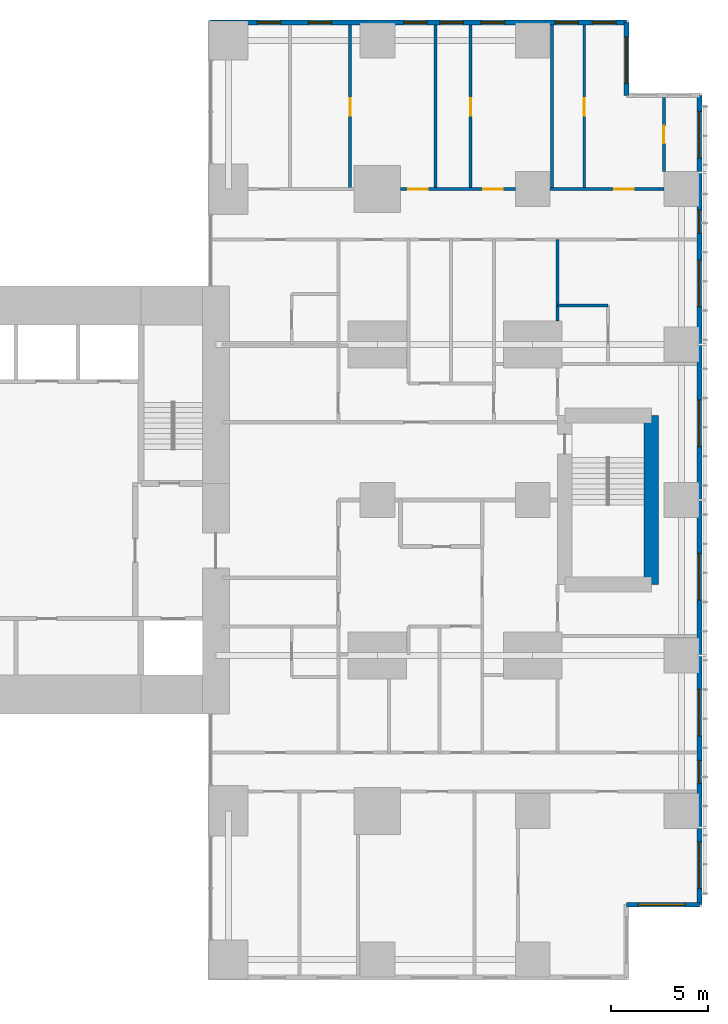
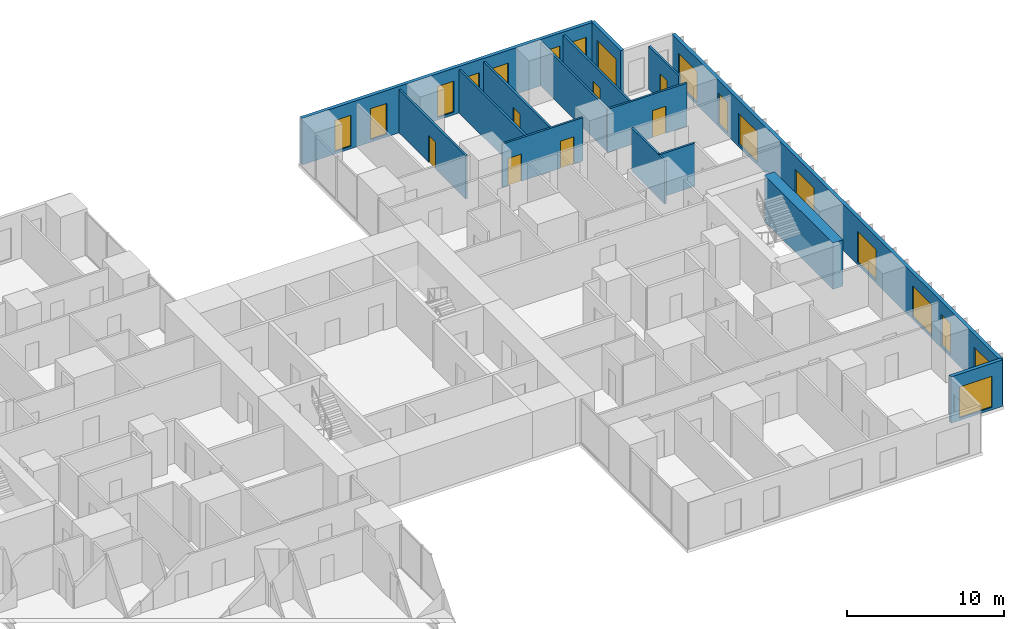
# One storey, part 18 of 20: 17 windows, 15 walls, 7 doors, 24 openings.
"""IFC4 building model written with IfcOpenShell, lengths in metres."""

from ifc_helpers import new_model, si_unit, direction, frame, frame_2d, origin, place, context, subcontext, project, spatial, rectangle, extrude, material, layer, layer_set, type_object, element, fill, save


model = new_model("IFC4")

# Units and contexts
model_context = context("Model", 3, precision=1e-05, world=origin(), true_north=direction((0.0, 1.0)))
body_context = subcontext(model_context, "Body", "Model", "MODEL_VIEW")
ifc_project = project(units=[si_unit("LENGTHUNIT", "METRE"), si_unit("AREAUNIT", "SQUARE_METRE"), si_unit("VOLUMEUNIT", "CUBIC_METRE"), si_unit("PLANEANGLEUNIT", "RADIAN"), si_unit("MASSUNIT", "GRAM", prefix="KILO")], contexts=[model_context])

# Site, building, storey
site_placement = place(None, origin())
site = spatial("IfcSite", under=ifc_project, at=site_placement, CompositionType="ELEMENT")
building_placement = place(site_placement, origin())
building = spatial("IfcBuilding", under=site, at=building_placement, Name="Cleftline Residences", CompositionType="ELEMENT")
storey_placement = place(building_placement, frame((0.0, 0.0, 214.60009765625)))
storey = spatial("IfcBuildingStorey", under=building, at=storey_placement, Name="L56", CompositionType="ELEMENT", Elevation=214.60009765625)

# Wall, opening, window
ifc_material_1 = material(Name="Rendered reinforced concrete blockwork", Category="masonry")
ifc_layer_1 = layer(ifc_material_1, 0.25)
ifc_layer_set_1 = layer_set([ifc_layer_1], Name="EXTERNAL WALL 250")
wall_type_1 = type_object("IfcWallType", Name="EXTERNAL WALL 250", PredefinedType="SOLIDWALL", material=ifc_layer_set_1)
wall_1_placement = place(storey_placement, frame((62.824951171875, 3.175048828125, 0.0), z_axis=(0.0, 0.0, 1.0), x_axis=(1.0, 0.0, 0.0)))
wall_1 = element("IfcWall", 1, at=wall_1_placement, inside=storey, type_object=wall_type_1, Name="External wall", PredefinedType="SOLIDWALL", context=body_context, shape_type="SweptSolid", body=[
    extrude(rectangle(XDim=3.75, YDim=0.25, at=frame_2d((1.875, 0.0))), origin(), (0.0, 0.0, 1.0), 3.599853515625),
])
opening_1_placement = place(wall_1_placement, frame((0.612548828125, 0.0, 0.199951171875)))
opening_1 = element("IfcOpeningElement", 2, at=opening_1_placement, cuts=wall_1, Name="Opening W9", PredefinedType="OPENING", context=body_context, shape_type="SweptSolid", body=[
    extrude(rectangle(XDim=2.39990234375, YDim=2.39990234375, at=frame_2d((1.199951171875, 1.199951171875))), frame((0.0, 0.135009765625, 0.0), z_axis=(0.0, -1.0, 0.0), x_axis=(1.0, 0.0, 0.0)), (0.0, 0.0, 1.0), 0.27001953125),
])
ifc_material_2 = material(Name="Aluminium frame, clear double glazing", Category="aluminium")
window_type_1 = type_object("IfcWindowType", Name="WINDOW 2400X2400", PartitioningType="DOUBLE_PANEL_VERTICAL", PredefinedType="WINDOW", material=ifc_material_2)
window_1_placement = place(opening_1_placement, origin())
window_1 = element("IfcWindow", 3, at=window_1_placement, inside=storey, type_object=window_type_1, Name="Window", OverallHeight=2.39990234375, OverallWidth=2.39990234375, PartitioningType="SINGLE_PANEL", PredefinedType="WINDOW", context=body_context, shape_type="SweptSolid", body=[
    extrude(rectangle(XDim=2.39990234375, YDim=2.39990234375, at=frame_2d((1.199951171875, 1.199951171875))), frame((0.0, 0.030029296875, 0.0), z_axis=(0.0, -1.0, 0.0), x_axis=(1.0, 0.0, 0.0)), (0.0, 0.0, 1.0), 0.06005859375),
])
fill(opening_1, window_1)

# Wall, openings, windows
wall_2_placement = place(storey_placement, frame((66.574951171875, 3.175048828125, 0.0), z_axis=(0.0, 0.0, 1.0), x_axis=(0.0, 1.0, 0.0)))
wall_2 = element("IfcWall", 4, at=wall_2_placement, inside=storey, type_object=wall_type_1, Name="External wall", PredefinedType="SOLIDWALL", context=body_context, shape_type="SweptSolid", body=[
    extrude(rectangle(XDim=41.64990234375, YDim=0.25, at=frame_2d((20.824951171875, 0.0))), origin(), (0.0, 0.0, 1.0), 3.599853515625),
])
opening_2_placement = place(wall_2_placement, frame((0.824951171875, 0.0, 0.199951171875)))
opening_2 = element("IfcOpeningElement", 5, at=opening_2_placement, cuts=wall_2, Name="Opening W9", PredefinedType="OPENING", context=body_context, shape_type="SweptSolid", body=[
    extrude(rectangle(XDim=2.39990234375, YDim=2.39990234375, at=frame_2d((1.199951171875, 1.199951171875))), frame((0.0, 0.135009765625, 0.0), z_axis=(0.0, -1.0, 0.0), x_axis=(1.0, 0.0, 0.0)), (0.0, 0.0, 1.0), 0.27001953125),
])
opening_3_placement = place(wall_2_placement, frame((6.22509765625, 0.0, 0.199951171875)))
opening_3 = element("IfcOpeningElement", 6, at=opening_3_placement, cuts=wall_2, Name="Opening W13", PredefinedType="OPENING", context=body_context, shape_type="SweptSolid", body=[
    extrude(rectangle(XDim=1.199951171875, YDim=2.39990234375, at=frame_2d((0.60009765625, 1.199951171875))), frame((0.0, 0.135009765625, 0.0), z_axis=(0.0, -1.0, 0.0), x_axis=(1.0, 0.0, 0.0)), (0.0, 0.0, 1.0), 0.27001953125),
])
opening_4_placement = place(wall_2_placement, frame((8.675048828125, 0.0, 0.199951171875)))
opening_4 = element("IfcOpeningElement", 7, at=opening_4_placement, cuts=wall_2, Name="Opening W9", PredefinedType="OPENING", context=body_context, shape_type="SweptSolid", body=[
    extrude(rectangle(XDim=2.39990234375, YDim=2.39990234375, at=frame_2d((1.199951171875, 1.199951171875))), frame((0.0, 0.135009765625, 0.0), z_axis=(0.0, -1.0, 0.0), x_axis=(1.0, 0.0, 0.0)), (0.0, 0.0, 1.0), 0.27001953125),
])
opening_5_placement = place(wall_2_placement, frame((15.675048828125, 0.0, 0.199951171875)))
opening_5 = element("IfcOpeningElement", 8, at=opening_5_placement, cuts=wall_2, Name="Opening W9", PredefinedType="OPENING", context=body_context, shape_type="SweptSolid", body=[
    extrude(rectangle(XDim=2.39990234375, YDim=2.39990234375, at=frame_2d((1.199951171875, 1.199951171875))), frame((0.0, 0.135009765625, 0.0), z_axis=(0.0, -1.0, 0.0), x_axis=(1.0, 0.0, 0.0)), (0.0, 0.0, 1.0), 0.27001953125),
])
opening_6_placement = place(wall_2_placement, frame((23.574951171875, 0.0, 0.199951171875)))
opening_6 = element("IfcOpeningElement", 9, at=opening_6_placement, cuts=wall_2, Name="Opening W9", PredefinedType="OPENING", context=body_context, shape_type="SweptSolid", body=[
    extrude(rectangle(XDim=2.39990234375, YDim=2.39990234375, at=frame_2d((1.199951171875, 1.199951171875))), frame((0.0, 0.135009765625, 0.0), z_axis=(0.0, -1.0, 0.0), x_axis=(1.0, 0.0, 0.0)), (0.0, 0.0, 1.0), 0.27001953125),
])
opening_7_placement = place(wall_2_placement, frame((30.77490234375, 0.0, 0.199951171875)))
opening_7 = element("IfcOpeningElement", 10, at=opening_7_placement, cuts=wall_2, Name="Opening W9", PredefinedType="OPENING", context=body_context, shape_type="SweptSolid", body=[
    extrude(rectangle(XDim=2.39990234375, YDim=2.39990234375, at=frame_2d((1.199951171875, 1.199951171875))), frame((0.0, 0.135009765625, 0.0), z_axis=(0.0, -1.0, 0.0), x_axis=(1.0, 0.0, 0.0)), (0.0, 0.0, 1.0), 0.27001953125),
])
opening_8_placement = place(wall_2_placement, frame((34.550048828125, 0.0, 0.199951171875)))
opening_8 = element("IfcOpeningElement", 11, at=opening_8_placement, cuts=wall_2, Name="Opening W13", PredefinedType="OPENING", context=body_context, shape_type="SweptSolid", body=[
    extrude(rectangle(XDim=1.199951171875, YDim=2.39990234375, at=frame_2d((0.60009765625, 1.199951171875))), frame((0.0, 0.135009765625, 0.0), z_axis=(0.0, -1.0, 0.0), x_axis=(1.0, 0.0, 0.0)), (0.0, 0.0, 1.0), 0.27001953125),
])
opening_9_placement = place(wall_2_placement, frame((38.425048828125, 0.0, 0.199951171875)))
opening_9 = element("IfcOpeningElement", 12, at=opening_9_placement, cuts=wall_2, Name="Opening W9", PredefinedType="OPENING", context=body_context, shape_type="SweptSolid", body=[
    extrude(rectangle(XDim=2.39990234375, YDim=2.39990234375, at=frame_2d((1.199951171875, 1.199951171875))), frame((0.0, 0.135009765625, 0.0), z_axis=(0.0, -1.0, 0.0), x_axis=(1.0, 0.0, 0.0)), (0.0, 0.0, 1.0), 0.27001953125),
])
ifc_material_3 = material(Name="Aluminium frame, clear double glazing", Category="aluminium")
window_type_2 = type_object("IfcWindowType", Name="WINDOW 1200X2400", PartitioningType="DOUBLE_PANEL_VERTICAL", PredefinedType="WINDOW", material=ifc_material_3)
window_2_placement = place(opening_3_placement, origin())
window_2 = element("IfcWindow", 13, at=window_2_placement, inside=storey, type_object=window_type_2, Name="Window", OverallHeight=2.39990234375, OverallWidth=1.199951171875, PartitioningType="SINGLE_PANEL", PredefinedType="WINDOW", context=body_context, shape_type="SweptSolid", body=[
    extrude(rectangle(XDim=1.199951171875, YDim=2.39990234375, at=frame_2d((0.60009765625, 1.199951171875))), frame((0.0, 0.030029296875, 0.0), z_axis=(0.0, -1.0, 0.0), x_axis=(1.0, 0.0, 0.0)), (0.0, 0.0, 1.0), 0.06005859375),
])
fill(opening_3, window_2)
window_3_placement = place(opening_8_placement, origin())
window_3 = element("IfcWindow", 14, at=window_3_placement, inside=storey, type_object=window_type_2, Name="Window", OverallHeight=2.39990234375, OverallWidth=1.199951171875, PartitioningType="SINGLE_PANEL", PredefinedType="WINDOW", context=body_context, shape_type="SweptSolid", body=[
    extrude(rectangle(XDim=1.199951171875, YDim=2.39990234375, at=frame_2d((0.60009765625, 1.199951171875))), frame((0.0, 0.030029296875, 0.0), z_axis=(0.0, -1.0, 0.0), x_axis=(1.0, 0.0, 0.0)), (0.0, 0.0, 1.0), 0.06005859375),
])
fill(opening_8, window_3)
window_4_placement = place(opening_2_placement, origin())
window_4 = element("IfcWindow", 15, at=window_4_placement, inside=storey, type_object=window_type_1, Name="Window", OverallHeight=2.39990234375, OverallWidth=2.39990234375, PartitioningType="SINGLE_PANEL", PredefinedType="WINDOW", context=body_context, shape_type="SweptSolid", body=[
    extrude(rectangle(XDim=2.39990234375, YDim=2.39990234375, at=frame_2d((1.199951171875, 1.199951171875))), frame((0.0, 0.030029296875, 0.0), z_axis=(0.0, -1.0, 0.0), x_axis=(1.0, 0.0, 0.0)), (0.0, 0.0, 1.0), 0.06005859375),
])
fill(opening_2, window_4)
window_5_placement = place(opening_4_placement, origin())
window_5 = element("IfcWindow", 16, at=window_5_placement, inside=storey, type_object=window_type_1, Name="Window", OverallHeight=2.39990234375, OverallWidth=2.39990234375, PartitioningType="SINGLE_PANEL", PredefinedType="WINDOW", context=body_context, shape_type="SweptSolid", body=[
    extrude(rectangle(XDim=2.39990234375, YDim=2.39990234375, at=frame_2d((1.199951171875, 1.199951171875))), frame((0.0, 0.030029296875, 0.0), z_axis=(0.0, -1.0, 0.0), x_axis=(1.0, 0.0, 0.0)), (0.0, 0.0, 1.0), 0.06005859375),
])
fill(opening_4, window_5)
window_6_placement = place(opening_5_placement, origin())
window_6 = element("IfcWindow", 17, at=window_6_placement, inside=storey, type_object=window_type_1, Name="Window", OverallHeight=2.39990234375, OverallWidth=2.39990234375, PartitioningType="SINGLE_PANEL", PredefinedType="WINDOW", context=body_context, shape_type="SweptSolid", body=[
    extrude(rectangle(XDim=2.39990234375, YDim=2.39990234375, at=frame_2d((1.199951171875, 1.199951171875))), frame((0.0, 0.030029296875, 0.0), z_axis=(0.0, -1.0, 0.0), x_axis=(1.0, 0.0, 0.0)), (0.0, 0.0, 1.0), 0.06005859375),
])
fill(opening_5, window_6)
window_7_placement = place(opening_6_placement, origin())
window_7 = element("IfcWindow", 18, at=window_7_placement, inside=storey, type_object=window_type_1, Name="Window", OverallHeight=2.39990234375, OverallWidth=2.39990234375, PartitioningType="SINGLE_PANEL", PredefinedType="WINDOW", context=body_context, shape_type="SweptSolid", body=[
    extrude(rectangle(XDim=2.39990234375, YDim=2.39990234375, at=frame_2d((1.199951171875, 1.199951171875))), frame((0.0, 0.030029296875, 0.0), z_axis=(0.0, -1.0, 0.0), x_axis=(1.0, 0.0, 0.0)), (0.0, 0.0, 1.0), 0.06005859375),
])
fill(opening_6, window_7)
window_8_placement = place(opening_7_placement, origin())
window_8 = element("IfcWindow", 19, at=window_8_placement, inside=storey, type_object=window_type_1, Name="Window", OverallHeight=2.39990234375, OverallWidth=2.39990234375, PartitioningType="SINGLE_PANEL", PredefinedType="WINDOW", context=body_context, shape_type="SweptSolid", body=[
    extrude(rectangle(XDim=2.39990234375, YDim=2.39990234375, at=frame_2d((1.199951171875, 1.199951171875))), frame((0.0, 0.030029296875, 0.0), z_axis=(0.0, -1.0, 0.0), x_axis=(1.0, 0.0, 0.0)), (0.0, 0.0, 1.0), 0.06005859375),
])
fill(opening_7, window_8)
window_9_placement = place(opening_9_placement, origin())
window_9 = element("IfcWindow", 20, at=window_9_placement, inside=storey, type_object=window_type_1, Name="Window", OverallHeight=2.39990234375, OverallWidth=2.39990234375, PartitioningType="SINGLE_PANEL", PredefinedType="WINDOW", context=body_context, shape_type="SweptSolid", body=[
    extrude(rectangle(XDim=2.39990234375, YDim=2.39990234375, at=frame_2d((1.199951171875, 1.199951171875))), frame((0.0, 0.030029296875, 0.0), z_axis=(0.0, -1.0, 0.0), x_axis=(1.0, 0.0, 0.0)), (0.0, 0.0, 1.0), 0.06005859375),
])
fill(opening_9, window_9)

# Wall, opening, window
wall_3_placement = place(storey_placement, frame((62.824951171875, 44.824951171875, 0.0), z_axis=(0.0, 0.0, 1.0), x_axis=(0.0, 1.0, 0.0)))
wall_3 = element("IfcWall", 21, at=wall_3_placement, inside=storey, type_object=wall_type_1, Name="External wall", PredefinedType="SOLIDWALL", context=body_context, shape_type="SweptSolid", body=[
    extrude(rectangle(XDim=3.75, YDim=0.25, at=frame_2d((1.875, 0.0))), origin(), (0.0, 0.0, 1.0), 3.599853515625),
])
opening_10_placement = place(wall_3_placement, frame((0.612548828125, 0.0, 0.199951171875)))
opening_10 = element("IfcOpeningElement", 22, at=opening_10_placement, cuts=wall_3, Name="Opening W9", PredefinedType="OPENING", context=body_context, shape_type="SweptSolid", body=[
    extrude(rectangle(XDim=2.39990234375, YDim=2.39990234375, at=frame_2d((1.199951171875, 1.199951171875))), frame((0.0, 0.135009765625, 0.0), z_axis=(0.0, -1.0, 0.0), x_axis=(1.0, 0.0, 0.0)), (0.0, 0.0, 1.0), 0.27001953125),
])
window_10_placement = place(opening_10_placement, origin())
window_10 = element("IfcWindow", 23, at=window_10_placement, inside=storey, type_object=window_type_1, Name="Window", OverallHeight=2.39990234375, OverallWidth=2.39990234375, PartitioningType="SINGLE_PANEL", PredefinedType="WINDOW", context=body_context, shape_type="SweptSolid", body=[
    extrude(rectangle(XDim=2.39990234375, YDim=2.39990234375, at=frame_2d((1.199951171875, 1.199951171875))), frame((0.0, 0.030029296875, 0.0), z_axis=(0.0, -1.0, 0.0), x_axis=(1.0, 0.0, 0.0)), (0.0, 0.0, 1.0), 0.06005859375),
])
fill(opening_10, window_10)

# Wall, openings, windows
wall_4_placement = place(storey_placement, frame((62.824951171875, 48.574951171875, 0.0), z_axis=(0.0, 0.0, 1.0), x_axis=(-1.0, 0.0, 0.0)))
wall_4 = element("IfcWall", 24, at=wall_4_placement, inside=storey, type_object=wall_type_1, Name="External wall", PredefinedType="SOLIDWALL", context=body_context, shape_type="SweptSolid", body=[
    extrude(rectangle(XDim=21.39990234375, YDim=0.25, at=frame_2d((10.699951171875, 0.0))), origin(), (0.0, 0.0, 1.0), 3.599853515625),
])
opening_11_placement = place(wall_4_placement, frame((0.550048828125, 0.0, 0.199951171875)))
opening_11 = element("IfcOpeningElement", 25, at=opening_11_placement, cuts=wall_4, Name="Opening W13", PredefinedType="OPENING", context=body_context, shape_type="SweptSolid", body=[
    extrude(rectangle(XDim=1.199951171875, YDim=2.39990234375, at=frame_2d((0.60009765625, 1.199951171875))), frame((0.0, 0.135009765625, 0.0), z_axis=(0.0, -1.0, 0.0), x_axis=(1.0, 0.0, 0.0)), (0.0, 0.0, 1.0), 0.27001953125),
])
opening_12_placement = place(wall_4_placement, frame((2.47509765625, 0.0, 0.199951171875)))
opening_12 = element("IfcOpeningElement", 26, at=opening_12_placement, cuts=wall_4, Name="Opening W13", PredefinedType="OPENING", context=body_context, shape_type="SweptSolid", body=[
    extrude(rectangle(XDim=1.199951171875, YDim=2.39990234375, at=frame_2d((0.60009765625, 1.199951171875))), frame((0.0, 0.135009765625, 0.0), z_axis=(0.0, -1.0, 0.0), x_axis=(1.0, 0.0, 0.0)), (0.0, 0.0, 1.0), 0.27001953125),
])
opening_13_placement = place(wall_4_placement, frame((6.27490234375, 0.0, 0.199951171875)))
opening_13 = element("IfcOpeningElement", 27, at=opening_13_placement, cuts=wall_4, Name="Opening W13", PredefinedType="OPENING", context=body_context, shape_type="SweptSolid", body=[
    extrude(rectangle(XDim=1.199951171875, YDim=2.39990234375, at=frame_2d((0.60009765625, 1.199951171875))), frame((0.0, 0.135009765625, 0.0), z_axis=(0.0, -1.0, 0.0), x_axis=(1.0, 0.0, 0.0)), (0.0, 0.0, 1.0), 0.27001953125),
])
opening_14_placement = place(wall_4_placement, frame((8.39990234375, 0.0, 0.199951171875)))
opening_14 = element("IfcOpeningElement", 28, at=opening_14_placement, cuts=wall_4, Name="Opening W13", PredefinedType="OPENING", context=body_context, shape_type="SweptSolid", body=[
    extrude(rectangle(XDim=1.199951171875, YDim=2.39990234375, at=frame_2d((0.60009765625, 1.199951171875))), frame((0.0, 0.135009765625, 0.0), z_axis=(0.0, -1.0, 0.0), x_axis=(1.0, 0.0, 0.0)), (0.0, 0.0, 1.0), 0.27001953125),
])
opening_15_placement = place(wall_4_placement, frame((10.27490234375, 0.0, 0.199951171875)))
opening_15 = element("IfcOpeningElement", 29, at=opening_15_placement, cuts=wall_4, Name="Opening W13", PredefinedType="OPENING", context=body_context, shape_type="SweptSolid", body=[
    extrude(rectangle(XDim=1.199951171875, YDim=2.39990234375, at=frame_2d((0.60009765625, 1.199951171875))), frame((0.0, 0.135009765625, 0.0), z_axis=(0.0, -1.0, 0.0), x_axis=(1.0, 0.0, 0.0)), (0.0, 0.0, 1.0), 0.27001953125),
])
opening_16_placement = place(wall_4_placement, frame((15.175048828125, 0.0, 0.199951171875)))
opening_16 = element("IfcOpeningElement", 30, at=opening_16_placement, cuts=wall_4, Name="Opening W13", PredefinedType="OPENING", context=body_context, shape_type="SweptSolid", body=[
    extrude(rectangle(XDim=1.199951171875, YDim=2.39990234375, at=frame_2d((0.60009765625, 1.199951171875))), frame((0.0, 0.135009765625, 0.0), z_axis=(0.0, -1.0, 0.0), x_axis=(1.0, 0.0, 0.0)), (0.0, 0.0, 1.0), 0.27001953125),
])
opening_17_placement = place(wall_4_placement, frame((17.800048828125, 0.0, 0.199951171875)))
opening_17 = element("IfcOpeningElement", 31, at=opening_17_placement, cuts=wall_4, Name="Opening W13", PredefinedType="OPENING", context=body_context, shape_type="SweptSolid", body=[
    extrude(rectangle(XDim=1.199951171875, YDim=2.39990234375, at=frame_2d((0.60009765625, 1.199951171875))), frame((0.0, 0.135009765625, 0.0), z_axis=(0.0, -1.0, 0.0), x_axis=(1.0, 0.0, 0.0)), (0.0, 0.0, 1.0), 0.27001953125),
])
window_11_placement = place(opening_11_placement, origin())
window_11 = element("IfcWindow", 32, at=window_11_placement, inside=storey, type_object=window_type_2, Name="Window", OverallHeight=2.39990234375, OverallWidth=1.199951171875, PartitioningType="SINGLE_PANEL", PredefinedType="WINDOW", context=body_context, shape_type="SweptSolid", body=[
    extrude(rectangle(XDim=1.199951171875, YDim=2.39990234375, at=frame_2d((0.60009765625, 1.199951171875))), frame((0.0, 0.030029296875, 0.0), z_axis=(0.0, -1.0, 0.0), x_axis=(1.0, 0.0, 0.0)), (0.0, 0.0, 1.0), 0.06005859375),
])
fill(opening_11, window_11)
window_12_placement = place(opening_12_placement, origin())
window_12 = element("IfcWindow", 33, at=window_12_placement, inside=storey, type_object=window_type_2, Name="Window", OverallHeight=2.39990234375, OverallWidth=1.199951171875, PartitioningType="SINGLE_PANEL", PredefinedType="WINDOW", context=body_context, shape_type="SweptSolid", body=[
    extrude(rectangle(XDim=1.199951171875, YDim=2.39990234375, at=frame_2d((0.60009765625, 1.199951171875))), frame((0.0, 0.030029296875, 0.0), z_axis=(0.0, -1.0, 0.0), x_axis=(1.0, 0.0, 0.0)), (0.0, 0.0, 1.0), 0.06005859375),
])
fill(opening_12, window_12)
window_13_placement = place(opening_13_placement, origin())
window_13 = element("IfcWindow", 34, at=window_13_placement, inside=storey, type_object=window_type_2, Name="Window", OverallHeight=2.39990234375, OverallWidth=1.199951171875, PartitioningType="SINGLE_PANEL", PredefinedType="WINDOW", context=body_context, shape_type="SweptSolid", body=[
    extrude(rectangle(XDim=1.199951171875, YDim=2.39990234375, at=frame_2d((0.60009765625, 1.199951171875))), frame((0.0, 0.030029296875, 0.0), z_axis=(0.0, -1.0, 0.0), x_axis=(1.0, 0.0, 0.0)), (0.0, 0.0, 1.0), 0.06005859375),
])
fill(opening_13, window_13)
window_14_placement = place(opening_14_placement, origin())
window_14 = element("IfcWindow", 35, at=window_14_placement, inside=storey, type_object=window_type_2, Name="Window", OverallHeight=2.39990234375, OverallWidth=1.199951171875, PartitioningType="SINGLE_PANEL", PredefinedType="WINDOW", context=body_context, shape_type="SweptSolid", body=[
    extrude(rectangle(XDim=1.199951171875, YDim=2.39990234375, at=frame_2d((0.60009765625, 1.199951171875))), frame((0.0, 0.030029296875, 0.0), z_axis=(0.0, -1.0, 0.0), x_axis=(1.0, 0.0, 0.0)), (0.0, 0.0, 1.0), 0.06005859375),
])
fill(opening_14, window_14)
window_15_placement = place(opening_15_placement, origin())
window_15 = element("IfcWindow", 36, at=window_15_placement, inside=storey, type_object=window_type_2, Name="Window", OverallHeight=2.39990234375, OverallWidth=1.199951171875, PartitioningType="SINGLE_PANEL", PredefinedType="WINDOW", context=body_context, shape_type="SweptSolid", body=[
    extrude(rectangle(XDim=1.199951171875, YDim=2.39990234375, at=frame_2d((0.60009765625, 1.199951171875))), frame((0.0, 0.030029296875, 0.0), z_axis=(0.0, -1.0, 0.0), x_axis=(1.0, 0.0, 0.0)), (0.0, 0.0, 1.0), 0.06005859375),
])
fill(opening_15, window_15)
window_16_placement = place(opening_16_placement, origin())
window_16 = element("IfcWindow", 37, at=window_16_placement, inside=storey, type_object=window_type_2, Name="Window", OverallHeight=2.39990234375, OverallWidth=1.199951171875, PartitioningType="SINGLE_PANEL", PredefinedType="WINDOW", context=body_context, shape_type="SweptSolid", body=[
    extrude(rectangle(XDim=1.199951171875, YDim=2.39990234375, at=frame_2d((0.60009765625, 1.199951171875))), frame((0.0, 0.030029296875, 0.0), z_axis=(0.0, -1.0, 0.0), x_axis=(1.0, 0.0, 0.0)), (0.0, 0.0, 1.0), 0.06005859375),
])
fill(opening_16, window_16)
window_17_placement = place(opening_17_placement, origin())
window_17 = element("IfcWindow", 38, at=window_17_placement, inside=storey, type_object=window_type_2, Name="Window", OverallHeight=2.39990234375, OverallWidth=1.199951171875, PartitioningType="SINGLE_PANEL", PredefinedType="WINDOW", context=body_context, shape_type="SweptSolid", body=[
    extrude(rectangle(XDim=1.199951171875, YDim=2.39990234375, at=frame_2d((0.60009765625, 1.199951171875))), frame((0.0, 0.030029296875, 0.0), z_axis=(0.0, -1.0, 0.0), x_axis=(1.0, 0.0, 0.0)), (0.0, 0.0, 1.0), 0.06005859375),
])
fill(opening_17, window_17)

# Wall
ifc_material_4 = material(Name="Gypsum board on steel studs", Category="steel")
ifc_layer_2 = layer(ifc_material_4, 0.14990234375)
ifc_layer_set_2 = layer_set([ifc_layer_2], Name="PARTITION 150")
wall_type_2 = type_object("IfcWallType", Name="PARTITION 150", PredefinedType="PARTITIONING", material=ifc_layer_set_2)
wall_5_placement = place(storey_placement, frame((59.27490234375, 34.0, 0.0), z_axis=(0.0, 0.0, 1.0), x_axis=(1.0, 0.0, 0.0)))
element("IfcWall", 39, at=wall_5_placement, inside=storey, type_object=wall_type_2, Name="Partition", PredefinedType="PARTITIONING", context=body_context, shape_type="SweptSolid", body=[
    extrude(rectangle(XDim=2.60009765625, YDim=0.14990234375, at=frame_2d((1.300048828125, 0.0))), origin(), (0.0, 0.0, 1.0), 3.349853515625),
])

# Wall, openings, doors
wall_6_placement = place(storey_placement, frame((51.199951171875, 40.0, 0.0), z_axis=(0.0, 0.0, 1.0), x_axis=(1.0, 0.0, 0.0)))
wall_6 = element("IfcWall", 40, at=wall_6_placement, inside=storey, type_object=wall_type_2, Name="Partition", PredefinedType="PARTITIONING", context=body_context, shape_type="SweptSolid", body=[
    extrude(rectangle(XDim=5.900146484375, YDim=0.14990234375, at=frame_2d((2.9501953125, 0.0))), origin(), (0.0, 0.0, 1.0), 3.349853515625),
])
opening_18_placement = place(wall_6_placement, frame((4.25, 0.0, 0.0)))
opening_18 = element("IfcOpeningElement", 41, at=opening_18_placement, cuts=wall_6, Name="Opening D2", PredefinedType="OPENING", context=body_context, shape_type="SweptSolid", body=[
    extrude(rectangle(XDim=1.0, YDim=2.10009765625, at=frame_2d((0.5, 1.050048828125))), frame((0.0, 0.0849609375, 0.0), z_axis=(0.0, -1.0, 0.0), x_axis=(1.0, 0.0, 0.0)), (0.0, 0.0, 1.0), 0.169921875),
])
opening_19_placement = place(wall_6_placement, frame((0.39990234375, 0.0, 0.0)))
opening_19 = element("IfcOpeningElement", 42, at=opening_19_placement, cuts=wall_6, Name="Opening D2", PredefinedType="OPENING", context=body_context, shape_type="SweptSolid", body=[
    extrude(rectangle(XDim=1.0, YDim=2.10009765625, at=frame_2d((0.5, 1.050048828125))), frame((0.0, 0.0849609375, 0.0), z_axis=(0.0, -1.0, 0.0), x_axis=(1.0, 0.0, 0.0)), (0.0, 0.0, 1.0), 0.169921875),
])
ifc_material_5 = material(Name="Timber veneer on solid core", Category="wood")
door_type_1 = type_object("IfcDoorType", Name="DOOR 1000X2100", OperationType="SINGLE_SWING_LEFT", PredefinedType="DOOR", material=ifc_material_5)
door_1_placement = place(opening_18_placement, origin())
door_1 = element("IfcDoor", 43, at=door_1_placement, inside=storey, type_object=door_type_1, Name="Door to bedroom 3", OperationType="SINGLE_SWING_LEFT", OverallHeight=2.10009765625, OverallWidth=1.0, PredefinedType="DOOR", context=body_context, shape_type="SweptSolid", body=[
    extrude(rectangle(XDim=1.0, YDim=2.10009765625, at=frame_2d((0.5, 1.050048828125))), frame((0.0, 0.02490234375, 0.0), z_axis=(0.0, -1.0, 0.0), x_axis=(1.0, 0.0, 0.0)), (0.0, 0.0, 1.0), 0.050048828125),
])
fill(opening_18, door_1)
door_2_placement = place(opening_19_placement, origin())
door_2 = element("IfcDoor", 44, at=door_2_placement, inside=storey, type_object=door_type_1, Name="Door to bedroom 4", OperationType="SINGLE_SWING_RIGHT", OverallHeight=2.10009765625, OverallWidth=1.0, PredefinedType="DOOR", context=body_context, shape_type="SweptSolid", body=[
    extrude(rectangle(XDim=1.0, YDim=2.10009765625, at=frame_2d((0.5, 1.050048828125))), frame((0.0, 0.02490234375, 0.0), z_axis=(0.0, -1.0, 0.0), x_axis=(1.0, 0.0, 0.0)), (0.0, 0.0, 1.0), 0.050048828125),
])
fill(opening_19, door_2)

# Wall, opening, door
wall_7_placement = place(storey_placement, frame((58.89990234375, 40.0, 0.0), z_axis=(0.0, 0.0, 1.0), x_axis=(1.0, 0.0, 0.0)))
wall_7 = element("IfcWall", 45, at=wall_7_placement, inside=storey, type_object=wall_type_2, Name="Partition", PredefinedType="PARTITIONING", context=body_context, shape_type="SweptSolid", body=[
    extrude(rectangle(XDim=5.85009765625, YDim=0.14990234375, at=frame_2d((2.925048828125, 0.0))), origin(), (0.0, 0.0, 1.0), 3.349853515625),
])
opening_20_placement = place(wall_7_placement, frame((3.300048828125, 0.0, 0.0)))
opening_20 = element("IfcOpeningElement", 46, at=opening_20_placement, cuts=wall_7, Name="Opening D2", PredefinedType="OPENING", context=body_context, shape_type="SweptSolid", body=[
    extrude(rectangle(XDim=1.0, YDim=2.10009765625, at=frame_2d((0.5, 1.050048828125))), frame((0.0, 0.0849609375, 0.0), z_axis=(0.0, -1.0, 0.0), x_axis=(1.0, 0.0, 0.0)), (0.0, 0.0, 1.0), 0.169921875),
])
door_3_placement = place(opening_20_placement, origin())
door_3 = element("IfcDoor", 47, at=door_3_placement, inside=storey, type_object=door_type_1, Name="Door to bedroom 2", OperationType="SINGLE_SWING_LEFT", OverallHeight=2.10009765625, OverallWidth=1.0, PredefinedType="DOOR", context=body_context, shape_type="SweptSolid", body=[
    extrude(rectangle(XDim=1.0, YDim=2.10009765625, at=frame_2d((0.5, 1.050048828125))), frame((0.0, 0.02490234375, 0.0), z_axis=(0.0, -1.0, 0.0), x_axis=(1.0, 0.0, 0.0)), (0.0, 0.0, 1.0), 0.050048828125),
])
fill(opening_20, door_3)

wall_8_placement = place(storey_placement, frame((48.60009765625, 40.0, 0.0), z_axis=(0.0, 0.0, 1.0), x_axis=(0.0, 1.0, 0.0)))
wall_8 = element("IfcWall", 48, at=wall_8_placement, inside=storey, type_object=wall_type_2, Name="Partition", PredefinedType="PARTITIONING", context=body_context, shape_type="SweptSolid", body=[
    extrude(rectangle(XDim=8.449951171875, YDim=0.14990234375, at=frame_2d((4.22509765625, 0.0))), origin(), (0.0, 0.0, 1.0), 3.349853515625),
])
opening_21_placement = place(wall_8_placement, frame((3.77490234375, 0.0, 0.0)))
opening_21 = element("IfcOpeningElement", 49, at=opening_21_placement, cuts=wall_8, Name="Opening D1", PredefinedType="OPENING", context=body_context, shape_type="SweptSolid", body=[
    extrude(rectangle(XDim=0.89990234375, YDim=2.10009765625, at=frame_2d((0.449951171875, 1.050048828125))), frame((0.0, 0.0849609375, 0.0), z_axis=(0.0, -1.0, 0.0), x_axis=(1.0, 0.0, 0.0)), (0.0, 0.0, 1.0), 0.169921875),
])
ifc_material_6 = material(Name="Timber veneer on solid core", Category="wood")
door_type_2 = type_object("IfcDoorType", Name="DOOR 900X2100", OperationType="SINGLE_SWING_LEFT", PredefinedType="DOOR", material=ifc_material_6)
door_4_placement = place(opening_21_placement, origin())
door_4 = element("IfcDoor", 50, at=door_4_placement, inside=storey, type_object=door_type_2, Name="Door to en-suite bathroom 4", OperationType="SINGLE_SWING_LEFT", OverallHeight=2.10009765625, OverallWidth=0.89990234375, PredefinedType="DOOR", context=body_context, shape_type="SweptSolid", body=[
    extrude(rectangle(XDim=0.89990234375, YDim=2.10009765625, at=frame_2d((0.449951171875, 1.050048828125))), frame((0.0, 0.02490234375, 0.0), z_axis=(0.0, -1.0, 0.0), x_axis=(1.0, 0.0, 0.0)), (0.0, 0.0, 1.0), 0.050048828125),
])
fill(opening_21, door_4)

# Wall
wall_9_placement = place(storey_placement, frame((53.0, 40.0, 0.0), z_axis=(0.0, 0.0, 1.0), x_axis=(0.0, 1.0, 0.0)))
element("IfcWall", 51, at=wall_9_placement, inside=storey, type_object=wall_type_2, Name="Partition", PredefinedType="PARTITIONING", context=body_context, shape_type="SweptSolid", body=[
    extrude(rectangle(XDim=8.449951171875, YDim=0.14990234375, at=frame_2d((4.22509765625, 0.0))), origin(), (0.0, 0.0, 1.0), 3.349853515625),
])

# Wall, opening, door
wall_10_placement = place(storey_placement, frame((54.800048828125, 40.0, 0.0), z_axis=(0.0, 0.0, 1.0), x_axis=(0.0, 1.0, 0.0)))
wall_10 = element("IfcWall", 52, at=wall_10_placement, inside=storey, type_object=wall_type_2, Name="Partition", PredefinedType="PARTITIONING", context=body_context, shape_type="SweptSolid", body=[
    extrude(rectangle(XDim=8.449951171875, YDim=0.14990234375, at=frame_2d((4.22509765625, 0.0))), origin(), (0.0, 0.0, 1.0), 3.349853515625),
])
opening_22_placement = place(wall_10_placement, frame((3.77490234375, 0.0, 0.0)))
opening_22 = element("IfcOpeningElement", 53, at=opening_22_placement, cuts=wall_10, Name="Opening D1", PredefinedType="OPENING", context=body_context, shape_type="SweptSolid", body=[
    extrude(rectangle(XDim=0.89990234375, YDim=2.10009765625, at=frame_2d((0.449951171875, 1.050048828125))), frame((0.0, 0.0849609375, 0.0), z_axis=(0.0, -1.0, 0.0), x_axis=(1.0, 0.0, 0.0)), (0.0, 0.0, 1.0), 0.169921875),
])
door_5_placement = place(opening_22_placement, origin())
door_5 = element("IfcDoor", 54, at=door_5_placement, inside=storey, type_object=door_type_2, Name="Door to en-suite bathroom 3", OperationType="SINGLE_SWING_LEFT", OverallHeight=2.10009765625, OverallWidth=0.89990234375, PredefinedType="DOOR", context=body_context, shape_type="SweptSolid", body=[
    extrude(rectangle(XDim=0.89990234375, YDim=2.10009765625, at=frame_2d((0.449951171875, 1.050048828125))), frame((0.0, 0.02490234375, 0.0), z_axis=(0.0, -1.0, 0.0), x_axis=(1.0, 0.0, 0.0)), (0.0, 0.0, 1.0), 0.050048828125),
])
fill(opening_22, door_5)

# Walls
wall_11_placement = place(storey_placement, frame((59.0, 40.0, 0.0), z_axis=(0.0, 0.0, 1.0), x_axis=(0.0, 1.0, 0.0)))
element("IfcWall", 55, at=wall_11_placement, inside=storey, type_object=wall_type_2, Name="Partition", PredefinedType="PARTITIONING", context=body_context, shape_type="SweptSolid", body=[
    extrude(rectangle(XDim=8.449951171875, YDim=0.14990234375, at=frame_2d((4.22509765625, 0.0))), origin(), (0.0, 0.0, 1.0), 3.349853515625),
])
wall_12_placement = place(storey_placement, frame((59.27490234375, 33.199951171875, 0.0), z_axis=(0.0, 0.0, 1.0), x_axis=(0.0, 1.0, 0.0)))
element("IfcWall", 56, at=wall_12_placement, inside=storey, type_object=wall_type_2, Name="Partition", PredefinedType="PARTITIONING", context=body_context, shape_type="SweptSolid", body=[
    extrude(rectangle(XDim=4.199951171875, YDim=0.14990234375, at=frame_2d((2.10009765625, 0.0))), origin(), (0.0, 0.0, 1.0), 3.349853515625),
])

# Wall, opening, door
wall_13_placement = place(storey_placement, frame((60.64990234375, 40.0, 0.0), z_axis=(0.0, 0.0, 1.0), x_axis=(0.0, 1.0, 0.0)))
wall_13 = element("IfcWall", 57, at=wall_13_placement, inside=storey, type_object=wall_type_2, Name="Partition", PredefinedType="PARTITIONING", context=body_context, shape_type="SweptSolid", body=[
    extrude(rectangle(XDim=8.449951171875, YDim=0.14990234375, at=frame_2d((4.22509765625, 0.0))), origin(), (0.0, 0.0, 1.0), 3.349853515625),
])
opening_23_placement = place(wall_13_placement, frame((3.77490234375, 0.0, 0.0)))
opening_23 = element("IfcOpeningElement", 58, at=opening_23_placement, cuts=wall_13, Name="Opening D1", PredefinedType="OPENING", context=body_context, shape_type="SweptSolid", body=[
    extrude(rectangle(XDim=0.89990234375, YDim=2.10009765625, at=frame_2d((0.449951171875, 1.050048828125))), frame((0.0, 0.0849609375, 0.0), z_axis=(0.0, -1.0, 0.0), x_axis=(1.0, 0.0, 0.0)), (0.0, 0.0, 1.0), 0.169921875),
])
door_6_placement = place(opening_23_placement, origin())
door_6 = element("IfcDoor", 59, at=door_6_placement, inside=storey, type_object=door_type_2, Name="Door to walk-in wardrobe", OperationType="SINGLE_SWING_LEFT", OverallHeight=2.10009765625, OverallWidth=0.89990234375, PredefinedType="DOOR", context=body_context, shape_type="SweptSolid", body=[
    extrude(rectangle(XDim=0.89990234375, YDim=2.10009765625, at=frame_2d((0.449951171875, 1.050048828125))), frame((0.0, 0.02490234375, 0.0), z_axis=(0.0, -1.0, 0.0), x_axis=(1.0, 0.0, 0.0)), (0.0, 0.0, 1.0), 0.050048828125),
])
fill(opening_23, door_6)

wall_14_placement = place(storey_placement, frame((64.75, 40.89990234375, 0.0), z_axis=(0.0, 0.0, 1.0), x_axis=(0.0, 1.0, 0.0)))
wall_14 = element("IfcWall", 60, at=wall_14_placement, inside=storey, type_object=wall_type_2, Name="Partition", PredefinedType="PARTITIONING", context=body_context, shape_type="SweptSolid", body=[
    extrude(rectangle(XDim=3.800048828125, YDim=0.14990234375, at=frame_2d((1.89990234375, 0.0))), origin(), (0.0, 0.0, 1.0), 3.349853515625),
])
opening_24_placement = place(wall_14_placement, frame((1.449951171875, 0.0, 0.0)))
opening_24 = element("IfcOpeningElement", 61, at=opening_24_placement, cuts=wall_14, Name="Opening D1", PredefinedType="OPENING", context=body_context, shape_type="SweptSolid", body=[
    extrude(rectangle(XDim=0.89990234375, YDim=2.10009765625, at=frame_2d((0.449951171875, 1.050048828125))), frame((0.0, 0.0849609375, 0.0), z_axis=(0.0, -1.0, 0.0), x_axis=(1.0, 0.0, 0.0)), (0.0, 0.0, 1.0), 0.169921875),
])
door_7_placement = place(opening_24_placement, origin())
door_7 = element("IfcDoor", 62, at=door_7_placement, inside=storey, type_object=door_type_2, Name="Door to music room", OperationType="SINGLE_SWING_LEFT", OverallHeight=2.10009765625, OverallWidth=0.89990234375, PredefinedType="DOOR", context=body_context, shape_type="SweptSolid", body=[
    extrude(rectangle(XDim=0.89990234375, YDim=2.10009765625, at=frame_2d((0.449951171875, 1.050048828125))), frame((0.0, 0.02490234375, 0.0), z_axis=(0.0, -1.0, 0.0), x_axis=(1.0, 0.0, 0.0)), (0.0, 0.0, 1.0), 0.050048828125),
])
fill(opening_24, door_7)

# Wall
ifc_material_7 = material(Name="Concrete B70", Category="concrete")
ifc_layer_3 = layer(ifc_material_7, 0.75)
ifc_layer_set_3 = layer_set([ifc_layer_3], Name="SHEAR WALL 750")
wall_type_3 = type_object("IfcWallType", Name="SHEAR WALL 750", PredefinedType="SHEAR", material=ifc_layer_set_3)
wall_15_placement = place(storey_placement, frame((64.10009765625, 19.64990234375, 0.0), z_axis=(0.0, 0.0, 1.0), x_axis=(0.0, 1.0, 0.0)))
element("IfcWall", 63, at=wall_15_placement, inside=storey, type_object=wall_type_3, Name="Wing shear wall", PredefinedType="SHEAR", context=body_context, shape_type="SweptSolid", body=[
    extrude(rectangle(XDim=8.7001953125, YDim=0.75, at=frame_2d((4.35009765625, 0.0))), origin(), (0.0, 0.0, 1.0), 3.599853515625),
])

save(model, "model.ifc")
